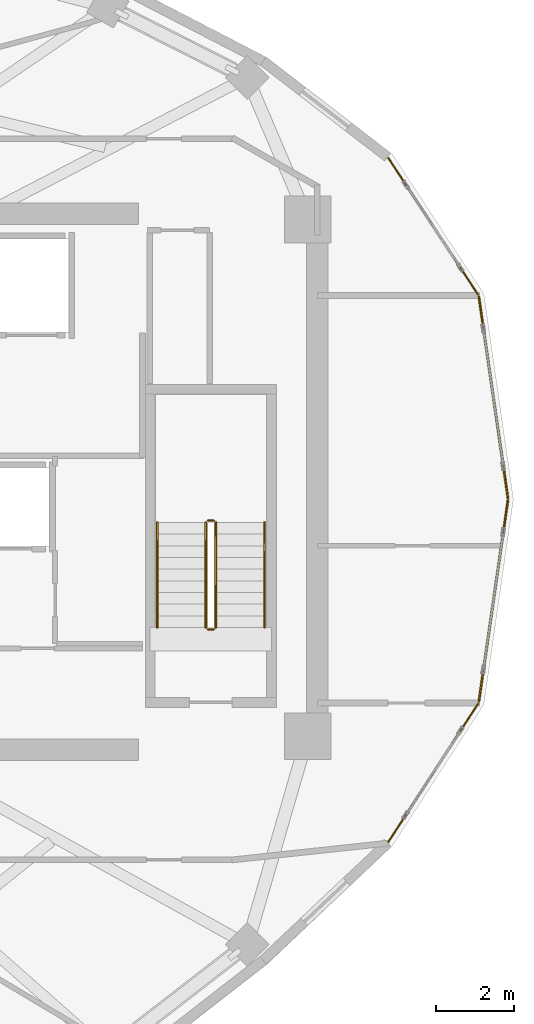
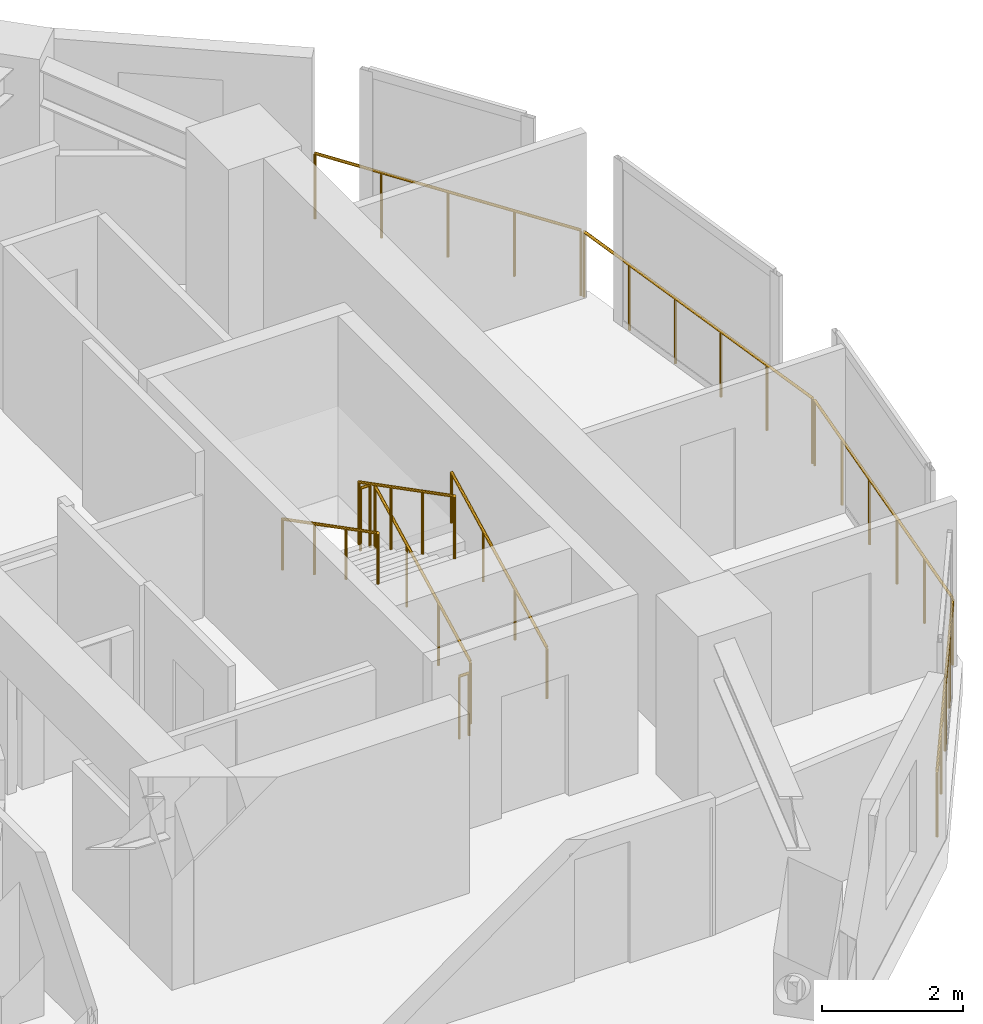
# One storey, part 12 of 12: 10 railings.
"""IFC4 building model written with IfcOpenShell, lengths in metres."""

from ifc_helpers import new_model, si_unit, direction, frame, origin, origin_2d, place, context, subcontext, project, spatial, circle, extrude, material, type_object, element, save


model = new_model("IFC4")

# Units and contexts
model_context = context("Model", 3, precision=1e-05, world=origin(), true_north=direction((0.0, 1.0)))
body_context = subcontext(model_context, "Body", "Model", "MODEL_VIEW")
ifc_project = project(units=[si_unit("LENGTHUNIT", "METRE"), si_unit("AREAUNIT", "SQUARE_METRE"), si_unit("VOLUMEUNIT", "CUBIC_METRE"), si_unit("PLANEANGLEUNIT", "RADIAN"), si_unit("MASSUNIT", "GRAM", prefix="KILO")], contexts=[model_context])

# Site, building, storey
site_placement = place(None, origin())
site = spatial("IfcSite", under=ifc_project, at=site_placement, CompositionType="ELEMENT")
building_placement = place(site_placement, origin())
building = spatial("IfcBuilding", under=site, at=building_placement, Name="Solvane Sanctuary Tower", CompositionType="ELEMENT")
storey_placement = place(building_placement, frame((0.0, 0.0, 210.89990234375)))
storey = spatial("IfcBuildingStorey", under=building, at=storey_placement, Name="L64", CompositionType="ELEMENT", Elevation=210.89990234375)

# Railings
ifc_material = material(Name="Architectural Stainless Steel 316", Category="steel")
railing_type_1 = type_object("IfcRailingType", Name="Railing GR-BALC-1150", PredefinedType="BALUSTRADE", material=ifc_material)
railing_1_placement = place(storey_placement, frame((53.855712890625, 23.02978515625, 0.0)))
element("IfcRailing", 1, at=railing_1_placement, inside=storey, type_object=railing_type_1, Name="L64 Curtain-Wall Perimeter Sill Guard 00", PredefinedType="BALUSTRADE", context=body_context, shape_type="SweptSolid", body=[
    extrude(circle(Radius=0.02392578125, at=origin_2d()), frame((0.0, 0.0, 1.1259765625), z_axis=(-0.142721073856, 0.989762948931, 0.0), x_axis=(-0.989762948931, -0.142721073856, 0.0)), (0.0, 0.0, 1.0), 5.232666015625),
    extrude(circle(Radius=0.02099609375, at=origin_2d()), origin(), (0.0, 0.0, 1.0), 1.101806640625),
    extrude(circle(Radius=0.02099609375, at=origin_2d()), frame((-0.1494140625, 1.035888671875, 0.0)), (0.0, 0.0, 1.0), 1.101806640625),
    extrude(circle(Radius=0.02099609375, at=origin_2d()), frame((-0.298828125, 2.07177734375, 0.0)), (0.0, 0.0, 1.0), 1.101806640625),
    extrude(circle(Radius=0.02099609375, at=origin_2d()), frame((-0.447998046875, 3.107421875, 0.0)), (0.0, 0.0, 1.0), 1.101806640625),
    extrude(circle(Radius=0.02099609375, at=origin_2d()), frame((-0.597412109375, 4.143310546875, 0.0)), (0.0, 0.0, 1.0), 1.101806640625),
    extrude(circle(Radius=0.02099609375, at=origin_2d()), frame((-0.746826171875, 5.17919921875, 0.0)), (0.0, 0.0, 1.0), 1.101806640625),
])
railing_2_placement = place(storey_placement, frame((53.088134765625, 28.263916015625, 0.0)))
element("IfcRailing", 2, at=railing_2_placement, inside=storey, type_object=railing_type_1, Name="L64 Curtain-Wall Perimeter Sill Guard 01", PredefinedType="BALUSTRADE", context=body_context, shape_type="SweptSolid", body=[
    extrude(circle(Radius=0.02392578125, at=origin_2d()), frame((0.0, 0.0, 1.1259765625), z_axis=(-0.548785614743, 0.83596312661, 0.0), x_axis=(-0.83596312661, -0.548785614743, 0.0)), (0.0, 0.0, 1.0), 4.210693359375),
    extrude(circle(Radius=0.02099609375, at=origin_2d()), origin(), (0.0, 0.0, 1.0), 1.101806640625),
    extrude(circle(Radius=0.02099609375, at=origin_2d()), frame((-0.57763671875, 0.8798828125, 0.0)), (0.0, 0.0, 1.0), 1.101806640625),
    extrude(circle(Radius=0.02099609375, at=origin_2d()), frame((-1.1552734375, 1.760009765625, 0.0)), (0.0, 0.0, 1.0), 1.101806640625),
    extrude(circle(Radius=0.02099609375, at=origin_2d()), frame((-1.733154296875, 2.64013671875, 0.0)), (0.0, 0.0, 1.0), 1.101806640625),
    extrude(circle(Radius=0.02099609375, at=origin_2d()), frame((-2.310791015625, 3.52001953125, 0.0)), (0.0, 0.0, 1.0), 1.101806640625),
])
railing_3_placement = place(storey_placement, frame((50.777099609375, 14.17578125, 0.0)))
element("IfcRailing", 3, at=railing_3_placement, inside=storey, type_object=railing_type_1, Name="L64 Curtain-Wall Perimeter Sill Guard 22", PredefinedType="BALUSTRADE", context=body_context, shape_type="SweptSolid", body=[
    extrude(circle(Radius=0.02392578125, at=origin_2d()), frame((0.0, 0.0, 1.1259765625), z_axis=(0.544505084281, 0.838757541362, 0.0), x_axis=(-0.838757541362, 0.544505084281, 0.0)), (0.0, 0.0, 1.0), 4.24462890625),
    extrude(circle(Radius=0.02099609375, at=origin_2d()), origin(), (0.0, 0.0, 1.0), 1.101806640625),
    extrude(circle(Radius=0.02099609375, at=origin_2d()), frame((0.577880859375, 0.89013671875, 0.0)), (0.0, 0.0, 1.0), 1.101806640625),
    extrude(circle(Radius=0.02099609375, at=origin_2d()), frame((1.15576171875, 1.7802734375, 0.0)), (0.0, 0.0, 1.0), 1.101806640625),
    extrude(circle(Radius=0.02099609375, at=origin_2d()), frame((1.7333984375, 2.670166015625, 0.0)), (0.0, 0.0, 1.0), 1.101806640625),
    extrude(circle(Radius=0.02099609375, at=origin_2d()), frame((2.311279296875, 3.560302734375, 0.0)), (0.0, 0.0, 1.0), 1.101806640625),
])
railing_4_placement = place(storey_placement, frame((53.10888671875, 17.791015625, 0.0)))
element("IfcRailing", 4, at=railing_4_placement, inside=storey, type_object=railing_type_1, Name="L64 Curtain-Wall Perimeter Sill Guard 23", PredefinedType="BALUSTRADE", context=body_context, shape_type="SweptSolid", body=[
    extrude(circle(Radius=0.02392578125, at=origin_2d()), frame((0.0, 0.0, 1.1259765625), z_axis=(0.142721073856, 0.989762948931, 0.0), x_axis=(-0.989762948931, 0.142721073856, 0.0)), (0.0, 0.0, 1.0), 5.232666015625),
    extrude(circle(Radius=0.02099609375, at=origin_2d()), origin(), (0.0, 0.0, 1.0), 1.101806640625),
    extrude(circle(Radius=0.02099609375, at=origin_2d()), frame((0.1494140625, 1.035888671875, 0.0)), (0.0, 0.0, 1.0), 1.101806640625),
    extrude(circle(Radius=0.02099609375, at=origin_2d()), frame((0.298828125, 2.07177734375, 0.0)), (0.0, 0.0, 1.0), 1.101806640625),
    extrude(circle(Radius=0.02099609375, at=origin_2d()), frame((0.447998046875, 3.107421875, 0.0)), (0.0, 0.0, 1.0), 1.101806640625),
    extrude(circle(Radius=0.02099609375, at=origin_2d()), frame((0.597412109375, 4.143310546875, 0.0)), (0.0, 0.0, 1.0), 1.101806640625),
    extrude(circle(Radius=0.02099609375, at=origin_2d()), frame((0.746826171875, 5.17919921875, 0.0)), (0.0, 0.0, 1.0), 1.101806640625),
])
railing_5_placement = place(storey_placement, frame((46.340087890625, 19.699951171875, 0.155029296875)))
element("IfcRailing", 5, at=railing_5_placement, inside=storey, type_object=railing_type_1, Name="L64 ST-2 stair guard 1", PredefinedType="BALUSTRADE", context=body_context, shape_type="SweptSolid", body=[
    extrude(circle(Radius=0.02392578125, at=origin_2d()), frame((0.0, 0.0, 1.076171875), z_axis=(0.0, 0.888419900624, 0.459031676658), x_axis=(-1.0, 0.0, 0.0)), (0.0, 0.0, 1.0), 3.0390625),
    extrude(circle(Radius=0.02099609375, at=origin_2d()), origin(), (0.0, 0.0, 1.0), 1.052001953125),
    extrude(circle(Radius=0.02099609375, at=origin_2d()), frame((0.0, 0.89990234375, 0.465087890625)), (0.0, 0.0, 1.0), 1.052001953125),
    extrude(circle(Radius=0.02099609375, at=origin_2d()), frame((0.0, 1.800048828125, 0.929931640625)), (0.0, 0.0, 1.0), 1.052001953125),
    extrude(circle(Radius=0.02099609375, at=origin_2d()), frame((0.0, 2.699951171875, 1.39501953125)), (0.0, 0.0, 1.0), 1.052001953125),
])
railing_6_placement = place(storey_placement, frame((46.2900390625, 22.449951171875, 1.550048828125)))
element("IfcRailing", 6, at=railing_6_placement, inside=storey, type_object=railing_type_1, Name="L64 ST-2 stair guard 2", PredefinedType="BALUSTRADE", context=body_context, shape_type="SweptSolid", body=[
    extrude(circle(Radius=0.02392578125, at=origin_2d()), frame((0.0, 0.0, 1.076171875), z_axis=(-1.0, 0.0, 0.0), x_axis=(0.0, -1.0, 0.0)), (0.0, 0.0, 1.0), 0.16015625),
    extrude(circle(Radius=0.02099609375, at=origin_2d()), origin(), (0.0, 0.0, 1.0), 1.052001953125),
    extrude(circle(Radius=0.02099609375, at=origin_2d()), frame((-0.16015625, 0.0, 0.0)), (0.0, 0.0, 1.0), 1.052001953125),
])
railing_7_placement = place(storey_placement, frame((46.080078125, 22.39990234375, 1.705078125)))
element("IfcRailing", 7, at=railing_7_placement, inside=storey, type_object=railing_type_1, Name="L64 ST-2 stair guard 3", PredefinedType="BALUSTRADE", context=body_context, shape_type="SweptSolid", body=[
    extrude(circle(Radius=0.02392578125, at=origin_2d()), frame((0.0, 0.0, 1.076171875), z_axis=(0.0, -0.888419900624, 0.459031676658), x_axis=(1.0, 0.0, 0.0)), (0.0, 0.0, 1.0), 3.0390625),
    extrude(circle(Radius=0.02099609375, at=origin_2d()), origin(), (0.0, 0.0, 1.0), 1.052001953125),
    extrude(circle(Radius=0.02099609375, at=origin_2d()), frame((0.0, -0.89990234375, 0.465087890625)), (0.0, 0.0, 1.0), 1.052001953125),
    extrude(circle(Radius=0.02099609375, at=origin_2d()), frame((0.0, -1.800048828125, 0.929931640625)), (0.0, 0.0, 1.0), 1.052001953125),
    extrude(circle(Radius=0.02099609375, at=origin_2d()), frame((0.0, -2.699951171875, 1.39501953125)), (0.0, 0.0, 1.0), 1.052001953125),
])
railing_8_placement = place(storey_placement, frame((46.2900390625, 19.64990234375, 0.0)))
element("IfcRailing", 8, at=railing_8_placement, inside=storey, type_object=railing_type_1, Name="L64 ST-2 stair guard 4", PredefinedType="BALUSTRADE", context=body_context, shape_type="SweptSolid", body=[
    extrude(circle(Radius=0.02392578125, at=origin_2d()), frame((0.0, 0.0, 1.076171875), z_axis=(-1.0, 0.0, 0.0), x_axis=(0.0, -1.0, 0.0)), (0.0, 0.0, 1.0), 0.16015625),
    extrude(circle(Radius=0.02099609375, at=origin_2d()), origin(), (0.0, 0.0, 1.0), 1.052001953125),
    extrude(circle(Radius=0.02099609375, at=origin_2d()), frame((-0.16015625, 0.0, 0.0)), (0.0, 0.0, 1.0), 1.052001953125),
])
railing_type_2 = type_object("IfcRailingType", Name="Railing HR-STAIR-920", PredefinedType="HANDRAIL", material=ifc_material)
railing_9_placement = place(storey_placement, frame((47.590087890625, 19.699951171875, 0.155029296875)))
element("IfcRailing", 9, at=railing_9_placement, inside=storey, type_object=railing_type_2, Name="L64 ST-2 stair handrail 1", PredefinedType="HANDRAIL", context=body_context, shape_type="SweptSolid", body=[
    extrude(circle(Radius=0.02392578125, at=origin_2d()), frame((0.0, 0.0, 0.8759765625), z_axis=(0.0, 0.888419900624, 0.459031676658), x_axis=(-1.0, 0.0, 0.0)), (0.0, 0.0, 1.0), 3.0390625),
    extrude(circle(Radius=0.02099609375, at=origin_2d()), origin(), (0.0, 0.0, 1.0), 0.851806640625),
    extrude(circle(Radius=0.02099609375, at=origin_2d()), frame((0.0, 0.89990234375, 0.465087890625)), (0.0, 0.0, 1.0), 0.851806640625),
    extrude(circle(Radius=0.02099609375, at=origin_2d()), frame((0.0, 1.800048828125, 0.929931640625)), (0.0, 0.0, 1.0), 0.851806640625),
    extrude(circle(Radius=0.02099609375, at=origin_2d()), frame((0.0, 2.699951171875, 1.39501953125)), (0.0, 0.0, 1.0), 0.851806640625),
])
railing_10_placement = place(storey_placement, frame((44.830078125, 22.39990234375, 1.705078125)))
element("IfcRailing", 10, at=railing_10_placement, inside=storey, type_object=railing_type_2, Name="L64 ST-2 stair handrail 2", PredefinedType="HANDRAIL", context=body_context, shape_type="SweptSolid", body=[
    extrude(circle(Radius=0.02392578125, at=origin_2d()), frame((0.0, 0.0, 0.8759765625), z_axis=(0.0, -0.888419900624, 0.459031676658), x_axis=(1.0, 0.0, 0.0)), (0.0, 0.0, 1.0), 3.0390625),
    extrude(circle(Radius=0.02099609375, at=origin_2d()), origin(), (0.0, 0.0, 1.0), 0.851806640625),
    extrude(circle(Radius=0.02099609375, at=origin_2d()), frame((0.0, -0.89990234375, 0.465087890625)), (0.0, 0.0, 1.0), 0.851806640625),
    extrude(circle(Radius=0.02099609375, at=origin_2d()), frame((0.0, -1.800048828125, 0.929931640625)), (0.0, 0.0, 1.0), 0.851806640625),
    extrude(circle(Radius=0.02099609375, at=origin_2d()), frame((0.0, -2.699951171875, 1.39501953125)), (0.0, 0.0, 1.0), 0.851806640625),
])

save(model, "model.ifc")
